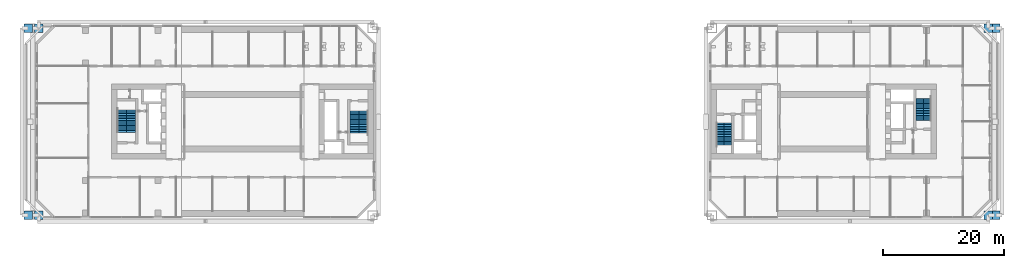
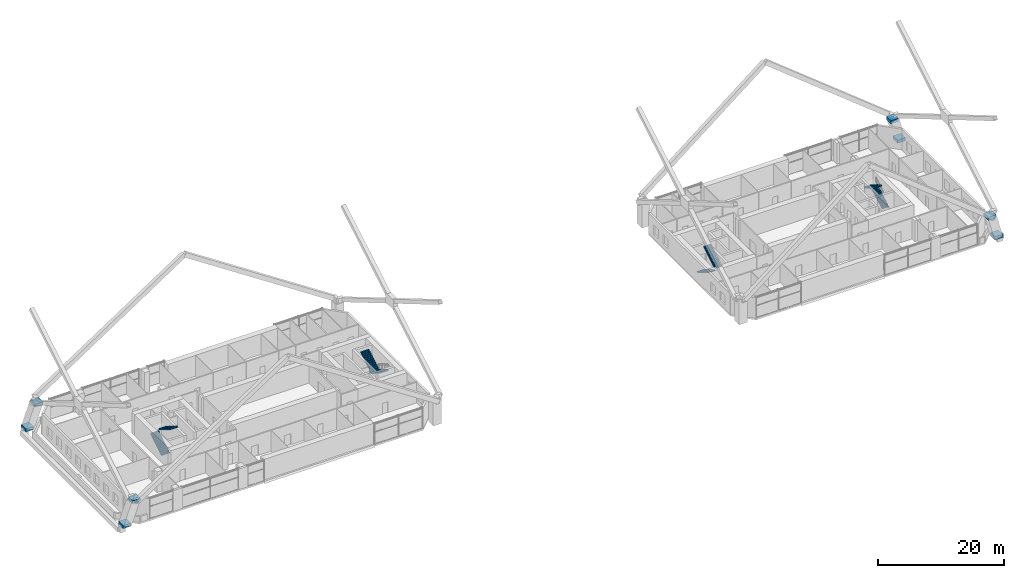
# One storey, part 23 of 25: 8 discrete accessories, 8 stair flights, 4 elements without a shape of their own.
"""IFC4 building model written with IfcOpenShell, lengths in metres."""

from ifc_helpers import new_model, si_unit, direction, frame, origin, origin_2d, place, context, subcontext, project, spatial, polyline, rectangle, outline, extrude, material, type_object, element, aggregate, save


model = new_model("IFC4")

# Units and contexts
model_context = context("Model", 3, precision=1e-05, world=origin(), true_north=direction((0.0, 1.0)))
body_context = subcontext(model_context, "Body", "Model", "MODEL_VIEW")
ifc_project = project(units=[si_unit("LENGTHUNIT", "METRE"), si_unit("AREAUNIT", "SQUARE_METRE"), si_unit("VOLUMEUNIT", "CUBIC_METRE"), si_unit("PLANEANGLEUNIT", "RADIAN"), si_unit("MASSUNIT", "GRAM", prefix="KILO")], contexts=[model_context])

# Site, building, storey
site_placement = place(None, origin())
site = spatial("IfcSite", under=ifc_project, at=site_placement, CompositionType="ELEMENT")
building_placement = place(site_placement, origin())
building = spatial("IfcBuilding", under=site, at=building_placement, Name="Tuart Gate Housing", CompositionType="ELEMENT")
storey_placement = place(building_placement, frame((0.0, 0.0, 14.699951171875)))
storey = spatial("IfcBuildingStorey", under=building, at=storey_placement, Name="L03", CompositionType="ELEMENT", Elevation=14.699951171875)

# Stair, stair flights
ifc_material_1 = material(Name="Concrete C40", Category="concrete")
stair_type_1 = type_object("IfcStairType", Name="Core stair 1250", PredefinedType="HALF_TURN_STAIR", material=ifc_material_1)
stair_1_placement = place(storey_placement, origin())
stair_1 = element("IfcStair", 1, at=stair_1_placement, inside=storey, type_object=stair_type_1, Name="Stair SB1", PredefinedType="HALF_TURN_STAIR")
ifc_material_2 = material(Name="Concrete C40", Category="concrete")
stair_flight_type_1 = type_object("IfcStairFlightType", Name="Stair flight 1250, 14 risers 171 x 280", PredefinedType="STRAIGHT", material=ifc_material_2)
stair_flight_1_placement = place(storey_placement, frame((132.885009765625, 69.800048828125, 0.0), z_axis=(0.0, 0.0, 1.0), x_axis=(0.0, -1.0, 0.0)))
stair_flight_1 = element("IfcStairFlight", 2, at=stair_flight_1_placement, type_object=stair_flight_type_1, Name="SB1 flight 1", NumberOfRisers=14, NumberOfTreads=13, PredefinedType="STRAIGHT", RiserHeight=0.171428571, TreadLength=0.28, context=body_context, shape_type="SweptSolid", body=[
    extrude(outline(polyline([(0.0, 0.0), (0.0, 0.17138671875), (0.280029296875, 0.17138671875), (0.280029296875, 0.3427734375), (0.56005859375, 0.3427734375), (0.56005859375, 0.514404296875), (0.840087890625, 0.514404296875), (0.840087890625, 0.685791015625), (1.1201171875, 0.685791015625), (1.1201171875, 0.857177734375), (1.39990234375, 0.857177734375), (1.39990234375, 1.028564453125), (1.679931640625, 1.028564453125), (1.679931640625, 1.199951171875), (1.9599609375, 1.199951171875), (1.9599609375, 1.371337890625), (2.239990234375, 1.371337890625), (2.239990234375, 1.54296875), (2.52001953125, 1.54296875), (2.52001953125, 1.71435546875), (2.800048828125, 1.71435546875), (2.800048828125, 1.8857421875), (3.080078125, 1.8857421875), (3.080078125, 2.05712890625), (3.360107421875, 2.05712890625), (3.360107421875, 2.228515625), (3.639892578125, 2.228515625), (3.639892578125, 2.39990234375), (3.639892578125, 2.052734375), (0.287109375, 0.0), (0.0, 0.0)])), frame((0.0, 0.625, 0.0), z_axis=(0.0, -1.0, 0.0), x_axis=(1.0, 0.0, 0.0)), (0.0, 0.0, 1.0), 1.25),
])
stair_flight_2_placement = place(storey_placement, frame((134.135009765625, 66.159912109375, 2.400146484375), z_axis=(0.0, 0.0, 1.0), x_axis=(0.0, 1.0, 0.0)))
stair_flight_2 = element("IfcStairFlight", 3, at=stair_flight_2_placement, type_object=stair_flight_type_1, Name="SB1 flight 2", NumberOfRisers=14, NumberOfTreads=13, PredefinedType="STRAIGHT", RiserHeight=0.171428571, TreadLength=0.28, context=body_context, shape_type="SweptSolid", body=[
    extrude(outline(polyline([(0.0, 0.0), (0.0, 0.17138671875), (0.280029296875, 0.17138671875), (0.280029296875, 0.3427734375), (0.56005859375, 0.3427734375), (0.56005859375, 0.514404296875), (0.840087890625, 0.514404296875), (0.840087890625, 0.685791015625), (1.1201171875, 0.685791015625), (1.1201171875, 0.857177734375), (1.39990234375, 0.857177734375), (1.39990234375, 1.028564453125), (1.679931640625, 1.028564453125), (1.679931640625, 1.199951171875), (1.9599609375, 1.199951171875), (1.9599609375, 1.371337890625), (2.239990234375, 1.371337890625), (2.239990234375, 1.54296875), (2.52001953125, 1.54296875), (2.52001953125, 1.71435546875), (2.800048828125, 1.71435546875), (2.800048828125, 1.8857421875), (3.080078125, 1.8857421875), (3.080078125, 2.05712890625), (3.360107421875, 2.05712890625), (3.360107421875, 2.228515625), (3.639892578125, 2.228515625), (3.639892578125, 2.39990234375), (3.639892578125, 2.052734375), (0.287109375, 0.0), (0.0, 0.0)])), frame((0.0, 0.625, 0.0), z_axis=(0.0, -1.0, 0.0), x_axis=(1.0, 0.0, 0.0)), (0.0, 0.0, 1.0), 1.25),
])
aggregate(stair_1, [stair_flight_1, stair_flight_2])

stair_2_placement = place(storey_placement, origin())
stair_2 = element("IfcStair", 4, at=stair_2_placement, inside=storey, type_object=stair_type_1, Name="Stair SB2", PredefinedType="HALF_TURN_STAIR")
stair_flight_3_placement = place(storey_placement, frame((167.114990234375, 70.199951171875, 0.0), z_axis=(0.0, 0.0, 1.0), x_axis=(0.0, 1.0, 0.0)))
stair_flight_3 = element("IfcStairFlight", 5, at=stair_flight_3_placement, type_object=stair_flight_type_1, Name="SB2 flight 1", NumberOfRisers=14, NumberOfTreads=13, PredefinedType="STRAIGHT", RiserHeight=0.171428571, TreadLength=0.28, context=body_context, shape_type="SweptSolid", body=[
    extrude(outline(polyline([(0.0, 0.0), (0.0, 0.17138671875), (0.280029296875, 0.17138671875), (0.280029296875, 0.3427734375), (0.56005859375, 0.3427734375), (0.56005859375, 0.514404296875), (0.840087890625, 0.514404296875), (0.840087890625, 0.685791015625), (1.1201171875, 0.685791015625), (1.1201171875, 0.857177734375), (1.39990234375, 0.857177734375), (1.39990234375, 1.028564453125), (1.679931640625, 1.028564453125), (1.679931640625, 1.199951171875), (1.9599609375, 1.199951171875), (1.9599609375, 1.371337890625), (2.239990234375, 1.371337890625), (2.239990234375, 1.54296875), (2.52001953125, 1.54296875), (2.52001953125, 1.71435546875), (2.800048828125, 1.71435546875), (2.800048828125, 1.8857421875), (3.080078125, 1.8857421875), (3.080078125, 2.05712890625), (3.360107421875, 2.05712890625), (3.360107421875, 2.228515625), (3.639892578125, 2.228515625), (3.639892578125, 2.39990234375), (3.639892578125, 2.052734375), (0.287109375, 0.0), (0.0, 0.0)])), frame((0.0, 0.625, 0.0), z_axis=(0.0, -1.0, 0.0), x_axis=(1.0, 0.0, 0.0)), (0.0, 0.0, 1.0), 1.25),
])
stair_flight_4_placement = place(storey_placement, frame((165.864990234375, 73.840087890625, 2.400146484375), z_axis=(0.0, 0.0, 1.0), x_axis=(0.0, -1.0, 0.0)))
stair_flight_4 = element("IfcStairFlight", 6, at=stair_flight_4_placement, type_object=stair_flight_type_1, Name="SB2 flight 2", NumberOfRisers=14, NumberOfTreads=13, PredefinedType="STRAIGHT", RiserHeight=0.171428571, TreadLength=0.28, context=body_context, shape_type="SweptSolid", body=[
    extrude(outline(polyline([(0.0, 0.0), (0.0, 0.17138671875), (0.280029296875, 0.17138671875), (0.280029296875, 0.3427734375), (0.56005859375, 0.3427734375), (0.56005859375, 0.514404296875), (0.840087890625, 0.514404296875), (0.840087890625, 0.685791015625), (1.1201171875, 0.685791015625), (1.1201171875, 0.857177734375), (1.39990234375, 0.857177734375), (1.39990234375, 1.028564453125), (1.679931640625, 1.028564453125), (1.679931640625, 1.199951171875), (1.9599609375, 1.199951171875), (1.9599609375, 1.371337890625), (2.239990234375, 1.371337890625), (2.239990234375, 1.54296875), (2.52001953125, 1.54296875), (2.52001953125, 1.71435546875), (2.800048828125, 1.71435546875), (2.800048828125, 1.8857421875), (3.080078125, 1.8857421875), (3.080078125, 2.05712890625), (3.360107421875, 2.05712890625), (3.360107421875, 2.228515625), (3.639892578125, 2.228515625), (3.639892578125, 2.39990234375), (3.639892578125, 2.052734375), (0.287109375, 0.0), (0.0, 0.0)])), frame((0.0, 0.625, 0.0), z_axis=(0.0, -1.0, 0.0), x_axis=(1.0, 0.0, 0.0)), (0.0, 0.0, 1.0), 1.25),
])
aggregate(stair_2, [stair_flight_3, stair_flight_4])

ifc_material_3 = material(Name="Concrete C40", Category="concrete")
stair_type_2 = type_object("IfcStairType", Name="Core stair 1500", PredefinedType="HALF_TURN_STAIR", material=ifc_material_3)
stair_3_placement = place(storey_placement, origin())
stair_3 = element("IfcStair", 7, at=stair_3_placement, inside=storey, type_object=stair_type_2, Name="Stair SA1", PredefinedType="HALF_TURN_STAIR")
ifc_material_4 = material(Name="Concrete C40", Category="concrete")
stair_flight_type_2 = type_object("IfcStairFlightType", Name="Stair flight 1500, 14 risers 171 x 280", PredefinedType="STRAIGHT", material=ifc_material_4)
stair_flight_5_placement = place(storey_placement, frame((73.989990234375, 71.75, 0.0), z_axis=(0.0, 0.0, 1.0), x_axis=(0.0, -1.0, 0.0)))
stair_flight_5 = element("IfcStairFlight", 8, at=stair_flight_5_placement, type_object=stair_flight_type_2, Name="SA1 flight 1", NumberOfRisers=14, NumberOfTreads=13, PredefinedType="STRAIGHT", RiserHeight=0.171428571, TreadLength=0.28, context=body_context, shape_type="SweptSolid", body=[
    extrude(outline(polyline([(0.0, 0.0), (0.0, 0.17138671875), (0.280029296875, 0.17138671875), (0.280029296875, 0.3427734375), (0.56005859375, 0.3427734375), (0.56005859375, 0.514404296875), (0.840087890625, 0.514404296875), (0.840087890625, 0.685791015625), (1.1201171875, 0.685791015625), (1.1201171875, 0.857177734375), (1.39990234375, 0.857177734375), (1.39990234375, 1.028564453125), (1.679931640625, 1.028564453125), (1.679931640625, 1.199951171875), (1.9599609375, 1.199951171875), (1.9599609375, 1.371337890625), (2.239990234375, 1.371337890625), (2.239990234375, 1.54296875), (2.52001953125, 1.54296875), (2.52001953125, 1.71435546875), (2.800048828125, 1.71435546875), (2.800048828125, 1.8857421875), (3.080078125, 1.8857421875), (3.080078125, 2.05712890625), (3.360107421875, 2.05712890625), (3.360107421875, 2.228515625), (3.639892578125, 2.228515625), (3.639892578125, 2.39990234375), (3.639892578125, 2.052734375), (0.287109375, 0.0), (0.0, 0.0)])), frame((0.0, 0.75, 0.0), z_axis=(0.0, -1.0, 0.0), x_axis=(1.0, 0.0, 0.0)), (0.0, 0.0, 1.0), 1.5),
])
stair_flight_6_placement = place(storey_placement, frame((72.489990234375, 68.110107421875, 2.400146484375), z_axis=(0.0, 0.0, 1.0), x_axis=(0.0, 1.0, 0.0)))
stair_flight_6 = element("IfcStairFlight", 9, at=stair_flight_6_placement, type_object=stair_flight_type_2, Name="SA1 flight 2", NumberOfRisers=14, NumberOfTreads=13, PredefinedType="STRAIGHT", RiserHeight=0.171428571, TreadLength=0.28, context=body_context, shape_type="SweptSolid", body=[
    extrude(outline(polyline([(0.0, 0.0), (0.0, 0.17138671875), (0.280029296875, 0.17138671875), (0.280029296875, 0.3427734375), (0.56005859375, 0.3427734375), (0.56005859375, 0.514404296875), (0.840087890625, 0.514404296875), (0.840087890625, 0.685791015625), (1.1201171875, 0.685791015625), (1.1201171875, 0.857177734375), (1.39990234375, 0.857177734375), (1.39990234375, 1.028564453125), (1.679931640625, 1.028564453125), (1.679931640625, 1.199951171875), (1.9599609375, 1.199951171875), (1.9599609375, 1.371337890625), (2.239990234375, 1.371337890625), (2.239990234375, 1.54296875), (2.52001953125, 1.54296875), (2.52001953125, 1.71435546875), (2.800048828125, 1.71435546875), (2.800048828125, 1.8857421875), (3.080078125, 1.8857421875), (3.080078125, 2.05712890625), (3.360107421875, 2.05712890625), (3.360107421875, 2.228515625), (3.639892578125, 2.228515625), (3.639892578125, 2.39990234375), (3.639892578125, 2.052734375), (0.287109375, 0.0), (0.0, 0.0)])), frame((0.0, 0.75, 0.0), z_axis=(0.0, -1.0, 0.0), x_axis=(1.0, 0.0, 0.0)), (0.0, 0.0, 1.0), 1.5),
])
aggregate(stair_3, [stair_flight_5, stair_flight_6])

stair_4_placement = place(storey_placement, origin())
stair_4 = element("IfcStair", 10, at=stair_4_placement, inside=storey, type_object=stair_type_2, Name="Stair SA2", PredefinedType="HALF_TURN_STAIR")
stair_flight_7_placement = place(storey_placement, frame((34.010009765625, 68.25, 0.0), z_axis=(0.0, 0.0, 1.0), x_axis=(0.0, 1.0, 0.0)))
stair_flight_7 = element("IfcStairFlight", 11, at=stair_flight_7_placement, type_object=stair_flight_type_2, Name="SA2 flight 1", NumberOfRisers=14, NumberOfTreads=13, PredefinedType="STRAIGHT", RiserHeight=0.171428571, TreadLength=0.28, context=body_context, shape_type="SweptSolid", body=[
    extrude(outline(polyline([(0.0, 0.0), (0.0, 0.17138671875), (0.280029296875, 0.17138671875), (0.280029296875, 0.3427734375), (0.56005859375, 0.3427734375), (0.56005859375, 0.514404296875), (0.840087890625, 0.514404296875), (0.840087890625, 0.685791015625), (1.1201171875, 0.685791015625), (1.1201171875, 0.857177734375), (1.39990234375, 0.857177734375), (1.39990234375, 1.028564453125), (1.679931640625, 1.028564453125), (1.679931640625, 1.199951171875), (1.9599609375, 1.199951171875), (1.9599609375, 1.371337890625), (2.239990234375, 1.371337890625), (2.239990234375, 1.54296875), (2.52001953125, 1.54296875), (2.52001953125, 1.71435546875), (2.800048828125, 1.71435546875), (2.800048828125, 1.8857421875), (3.080078125, 1.8857421875), (3.080078125, 2.05712890625), (3.360107421875, 2.05712890625), (3.360107421875, 2.228515625), (3.639892578125, 2.228515625), (3.639892578125, 2.39990234375), (3.639892578125, 2.052734375), (0.287109375, 0.0), (0.0, 0.0)])), frame((0.0, 0.75, 0.0), z_axis=(0.0, -1.0, 0.0), x_axis=(1.0, 0.0, 0.0)), (0.0, 0.0, 1.0), 1.5),
])
stair_flight_8_placement = place(storey_placement, frame((35.510009765625, 71.889892578125, 2.400146484375), z_axis=(0.0, 0.0, 1.0), x_axis=(0.0, -1.0, 0.0)))
stair_flight_8 = element("IfcStairFlight", 12, at=stair_flight_8_placement, type_object=stair_flight_type_2, Name="SA2 flight 2", NumberOfRisers=14, NumberOfTreads=13, PredefinedType="STRAIGHT", RiserHeight=0.171428571, TreadLength=0.28, context=body_context, shape_type="SweptSolid", body=[
    extrude(outline(polyline([(0.0, 0.0), (0.0, 0.17138671875), (0.280029296875, 0.17138671875), (0.280029296875, 0.3427734375), (0.56005859375, 0.3427734375), (0.56005859375, 0.514404296875), (0.840087890625, 0.514404296875), (0.840087890625, 0.685791015625), (1.1201171875, 0.685791015625), (1.1201171875, 0.857177734375), (1.39990234375, 0.857177734375), (1.39990234375, 1.028564453125), (1.679931640625, 1.028564453125), (1.679931640625, 1.199951171875), (1.9599609375, 1.199951171875), (1.9599609375, 1.371337890625), (2.239990234375, 1.371337890625), (2.239990234375, 1.54296875), (2.52001953125, 1.54296875), (2.52001953125, 1.71435546875), (2.800048828125, 1.71435546875), (2.800048828125, 1.8857421875), (3.080078125, 1.8857421875), (3.080078125, 2.05712890625), (3.360107421875, 2.05712890625), (3.360107421875, 2.228515625), (3.639892578125, 2.228515625), (3.639892578125, 2.39990234375), (3.639892578125, 2.052734375), (0.287109375, 0.0), (0.0, 0.0)])), frame((0.0, 0.75, 0.0), z_axis=(0.0, -1.0, 0.0), x_axis=(1.0, 0.0, 0.0)), (0.0, 0.0, 1.0), 1.5),
])
aggregate(stair_4, [stair_flight_7, stair_flight_8])

# Discrete accessories
for number, where, z_axis, x_axis, name in (
    (13, (18.550048828125, 54.550048828125, 0.0), (0.0, 0.0, 1.0), (1.0, 0.0, 0.0), "Mega column node A south-west foot L03"),
    (14, (20.300048828125, 54.550048828125, 4.199951171875), (0.0, 0.0, 1.0), (1.0, 0.0, 0.0), "Mega column node A south-west head L03"),
    (15, (18.550048828125, 85.449951171875, 0.0), (0.0, 0.0, 1.0), (1.0, 0.0, 0.0), "Mega column node A north-west foot L03"),
    (16, (20.300048828125, 85.449951171875, 4.199951171875), (0.0, 0.0, 1.0), (1.0, 0.0, 0.0), "Mega column node A north-west head L03"),
    (17, (178.449951171875, 54.550048828125, 0.0), (0.0, 0.0, 1.0), (1.0, 0.0, 0.0), "Mega column node B south-east foot L03"),
    (18, (177.199951171875, 54.550048828125, 4.199951171875), (0.0, 0.0, 1.0), (1.0, 0.0, 0.0), "Mega column node B south-east head L03"),
    (19, (178.449951171875, 85.449951171875, 0.0), (0.0, 0.0, 1.0), (1.0, 0.0, 0.0), "Mega column node B north-east foot L03"),
    (20, (177.199951171875, 85.449951171875, 4.199951171875), (0.0, 0.0, 1.0), (1.0, 0.0, 0.0), "Mega column node B north-east head L03"),
):
    element("IfcDiscreteAccessory", number, at=place(storey_placement, frame(where, z_axis=z_axis, x_axis=x_axis)), inside=storey, Name=name, ObjectType="Mega column node", PredefinedType="USERDEFINED", context=body_context, shape_type="SweptSolid", body=[
        extrude(rectangle(XDim=1.43994140625, YDim=1.43994140625, at=origin_2d()), origin(), (0.0, 0.0, 1.0), 0.60009765625),
    ])

save(model, "model.ifc")
